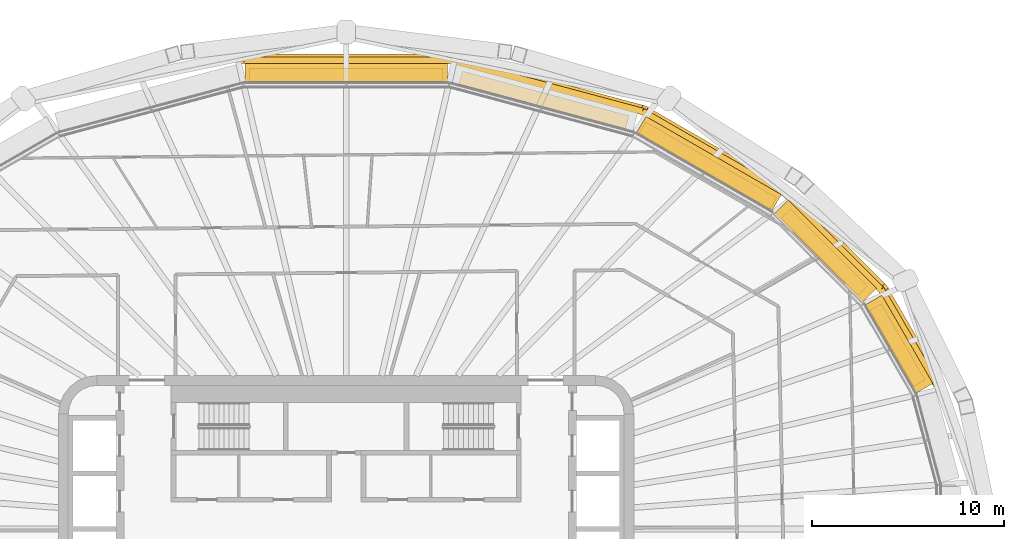
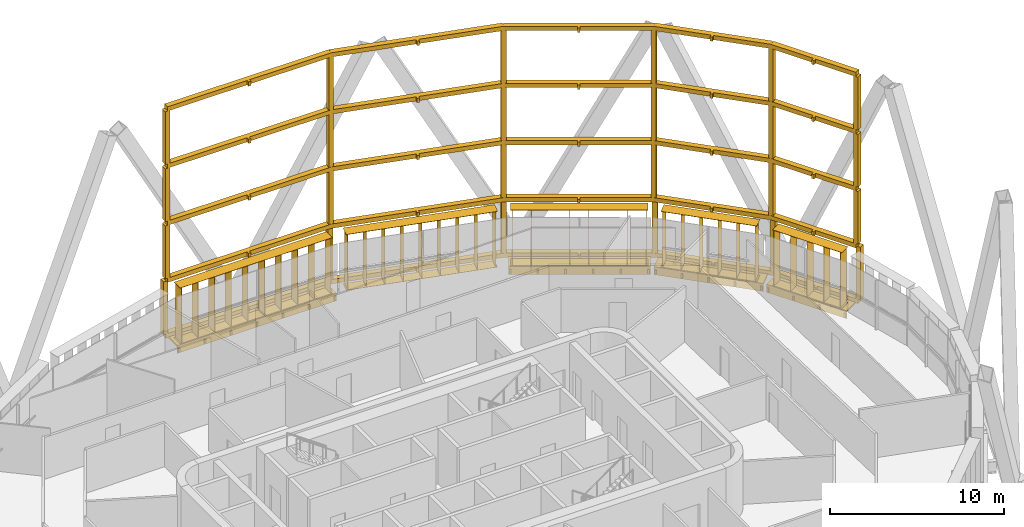
# One storey, part 24 of 25: 10 shading devices.
"""IFC4 building model written with IfcOpenShell, lengths in metres."""

from ifc_helpers import new_model, si_unit, direction, frame, origin, origin_2d, place, context, subcontext, project, spatial, polyline, rectangle, outline, extrude, material, type_object, element, save


model = new_model("IFC4")

# Units and contexts
model_context = context("Model", 3, precision=1e-05, world=origin(), true_north=direction((0.0, 1.0)))
body_context = subcontext(model_context, "Body", "Model", "MODEL_VIEW")
ifc_project = project(units=[si_unit("LENGTHUNIT", "METRE"), si_unit("AREAUNIT", "SQUARE_METRE"), si_unit("VOLUMEUNIT", "CUBIC_METRE"), si_unit("PLANEANGLEUNIT", "RADIAN"), si_unit("MASSUNIT", "GRAM", prefix="KILO")], contexts=[model_context])

# Site, building, storey
site_placement = place(None, origin())
site = spatial("IfcSite", under=ifc_project, at=site_placement, CompositionType="ELEMENT")
building_placement = place(site_placement, origin())
building = spatial("IfcBuilding", under=site, at=building_placement, Name="Sahrelin Media Tower", CompositionType="ELEMENT")
storey_placement = place(building_placement, frame((0.0, 0.0, 181.60009765625)))
storey = spatial("IfcBuildingStorey", under=building, at=storey_placement, Name="L38", CompositionType="ELEMENT", Elevation=181.60009765625)

# Shading devices
ifc_material_1 = material(Name="Dark bronze anodised aluminium 6063-T6", Category="aluminium")
shading_device_type_1 = type_object("IfcShadingDeviceType", Name="Deep frame", PredefinedType="USERDEFINED", material=ifc_material_1)
shading_device_1_placement = place(storey_placement, frame((29.761474609375, 6.9970703125, 0.0), z_axis=(0.0, 0.0, 1.0), x_axis=(0.500011000363, -0.866019052629, 0.0)))
element("IfcShadingDevice", 1, at=shading_device_1_placement, inside=storey, type_object=shading_device_type_1, Name="L38:FRAME:F3-6", ObjectType="FRAME", PredefinedType="USERDEFINED", context=body_context, shape_type="SweptSolid", body=[
    extrude(rectangle(XDim=0.300048828125, YDim=0.35009765625, at=origin_2d()), frame((0.0, 1.324951171875, 0.14990234375), z_axis=(0.0, 0.0, 1.0), x_axis=(-1.0, 0.0, 0.0)), (0.0, 0.0, 1.0), 3.7001953125),
    extrude(rectangle(XDim=0.300048828125, YDim=0.35009765625, at=origin_2d()), frame((-5.686767578125, 1.313720703125, 0.14990234375), z_axis=(0.0, 0.0, 1.0), x_axis=(-0.991434606813, -0.130604059715, 0.0)), (0.0, 0.0, 1.0), 3.7001953125),
    extrude(rectangle(XDim=0.300048828125, YDim=0.35009765625, at=origin_2d()), frame((-12.49169921875, -0.509765625, 0.14990234375), z_axis=(0.0, 0.0, 1.0), x_axis=(-0.923876860854, -0.382689882252, 0.0)), (0.0, 0.0, 1.0), 3.7001953125),
    extrude(rectangle(XDim=0.300048828125, YDim=0.35009765625, at=origin_2d()), frame((-20.022216796875, -4.857421875, 0.14990234375), z_axis=(0.0, 0.0, 1.0), x_axis=(-0.793400087474, -0.608700502051, 0.0)), (0.0, 0.0, 1.0), 3.7001953125),
    extrude(rectangle(XDim=0.300048828125, YDim=0.35009765625, at=origin_2d()), frame((-27.34228515625, -12.177490234375, 0.14990234375), z_axis=(0.0, 0.0, 1.0), x_axis=(-0.608762813671, -0.793352277801, 0.0)), (0.0, 0.0, 1.0), 3.7001953125),
    extrude(rectangle(XDim=0.300048828125, YDim=0.35009765625, at=origin_2d()), frame((-32.809814453125, -21.625, 0.14990234375), z_axis=(0.0, 0.0, 1.0), x_axis=(-0.500010580459, -0.866019295067, 0.0)), (0.0, 0.0, 1.0), 3.7001953125),
    extrude(outline(polyline([(-2.831787109375, 0.969970703125), (-2.681884765625, 0.969970703125), (-2.681884765625, 1.144775390625), (0.000244140625, 1.14990234375), (-0.000244140625, 1.5), (-5.68701171875, 1.48876953125), (-5.686767578125, 1.313720703125), (-5.73193359375, 1.482666015625), (-12.537109375, -0.3408203125), (-12.49169921875, -0.509765625), (-12.5791015625, -0.358154296875), (-20.10986328125, -4.705810546875), (-20.022216796875, -4.857421875), (-20.14599609375, -4.733642578125), (-27.466064453125, -12.0537109375), (-27.34228515625, -12.177490234375), (-27.49365234375, -12.08984375), (-32.96142578125, -21.537353515625), (-32.658447265625, -21.712646484375), (-30.00537109375, -17.12841796875), (-29.854248046875, -17.2158203125), (-29.779296875, -17.0859375), (-29.930419921875, -16.998779296875), (-27.202392578125, -12.284912109375), (-23.611572265625, -8.694091796875), (-23.4921875, -8.8134765625), (-23.38623046875, -8.70751953125), (-23.505615234375, -8.588134765625), (-19.914794921875, -4.99755859375), (-16.234619140625, -2.87255859375), (-16.150146484375, -3.018798828125), (-16.020263671875, -2.943603515625), (-16.1044921875, -2.797607421875), (-12.42431640625, -0.6728515625), (-9.116455078125, 0.21337890625), (-9.07275390625, 0.050537109375), (-8.927734375, 0.08935546875), (-8.971435546875, 0.252197265625), (-5.66357421875, 1.138671875), (-2.831787109375, 1.144287109375), (-2.831787109375, 0.969970703125)])), frame((0.0, 0.0, -0.14990234375)), (0.0, 0.0, 1.0), 0.2998046875),
    extrude(rectangle(XDim=0.300048828125, YDim=0.35009765625, at=origin_2d()), frame((-0.051513671875, 1.146484375, 4.14990234375), z_axis=(0.0, 0.0, 1.0), x_axis=(-1.0, 0.0, 0.0)), (0.0, 0.0, 1.0), 3.7001953125),
    extrude(rectangle(XDim=0.300048828125, YDim=0.35009765625, at=origin_2d()), frame((-5.70361328125, 1.13525390625, 4.14990234375), z_axis=(0.0, 0.0, 1.0), x_axis=(-0.991449189241, -0.130493314592, 0.0)), (0.0, 0.0, 1.0), 3.7001953125),
    extrude(rectangle(XDim=0.300048828125, YDim=0.35009765625, at=origin_2d()), frame((-12.46826171875, -0.677490234375, 4.14990234375), z_axis=(0.0, 0.0, 1.0), x_axis=(-0.923876860854, -0.382689882252, 0.0)), (0.0, 0.0, 1.0), 3.7001953125),
    extrude(rectangle(XDim=0.300048828125, YDim=0.35009765625, at=origin_2d()), frame((-19.955078125, -4.999755859375, 4.14990234375), z_axis=(0.0, 0.0, 1.0), x_axis=(-0.793315089117, -0.608811275668, 0.0)), (0.0, 0.0, 1.0), 3.7001953125),
    extrude(rectangle(XDim=0.300048828125, YDim=0.35009765625, at=origin_2d()), frame((-27.232666015625, -12.27734375, 4.14990234375), z_axis=(0.0, 0.0, 1.0), x_axis=(-0.608762813671, -0.793352277801, 0.0)), (0.0, 0.0, 1.0), 3.7001953125),
    extrude(rectangle(XDim=0.300048828125, YDim=0.35009765625, at=origin_2d()), frame((-32.66845703125, -21.669921875, 4.14990234375), z_axis=(0.0, 0.0, 1.0), x_axis=(-0.500010580459, -0.866019295067, 0.0)), (0.0, 0.0, 1.0), 3.7001953125),
    extrude(outline(polyline([(-2.865966796875, 0.79150390625), (-2.716064453125, 0.79150390625), (-2.716064453125, 0.96630859375), (-0.05126953125, 0.9716796875), (-0.052001953125, 1.321533203125), (-5.703857421875, 1.310302734375), (-5.70361328125, 1.13525390625), (-5.748779296875, 1.30419921875), (-12.513671875, -0.50830078125), (-12.46826171875, -0.677490234375), (-12.555908203125, -0.52587890625), (-20.04248046875, -4.84814453125), (-19.955078125, -4.999755859375), (-20.07861328125, -4.876220703125), (-27.3564453125, -12.15380859375), (-27.232666015625, -12.27734375), (-27.384033203125, -12.189697265625), (-32.820068359375, -21.582275390625), (-32.51708984375, -21.757568359375), (-29.8798828125, -17.200927734375), (-29.728759765625, -17.2880859375), (-29.65380859375, -17.158203125), (-29.8046875, -17.071044921875), (-27.0927734375, -12.385009765625), (-23.523193359375, -8.8154296875), (-23.40380859375, -8.9345703125), (-23.2978515625, -8.82861328125), (-23.4169921875, -8.709228515625), (-19.847412109375, -5.139892578125), (-16.189208984375, -3.027587890625), (-16.104736328125, -3.173583984375), (-15.974853515625, -3.0986328125), (-16.05908203125, -2.95263671875), (-12.40087890625, -0.840576171875), (-9.113037109375, 0.04052734375), (-9.0693359375, -0.122314453125), (-8.924560546875, -0.08349609375), (-8.96826171875, 0.079345703125), (-5.680419921875, 0.960205078125), (-2.865966796875, 0.9658203125), (-2.865966796875, 0.79150390625)])), frame((0.0, 0.0, 3.85009765625)), (0.0, 0.0, 1.0), 0.2998046875),
    extrude(rectangle(XDim=0.300048828125, YDim=0.35009765625, at=origin_2d()), frame((-0.051513671875, 1.146484375, 8.14990234375), z_axis=(0.0, 0.0, 1.0), x_axis=(-1.0, 0.0, 0.0)), (0.0, 0.0, 1.0), 3.7001953125),
    extrude(rectangle(XDim=0.300048828125, YDim=0.35009765625, at=origin_2d()), frame((-5.70361328125, 1.13525390625, 8.14990234375), z_axis=(0.0, 0.0, 1.0), x_axis=(-0.991449189241, -0.130493314592, 0.0)), (0.0, 0.0, 1.0), 3.7001953125),
    extrude(rectangle(XDim=0.300048828125, YDim=0.35009765625, at=origin_2d()), frame((-12.46826171875, -0.677490234375, 8.14990234375), z_axis=(0.0, 0.0, 1.0), x_axis=(-0.923876860854, -0.382689882252, 0.0)), (0.0, 0.0, 1.0), 3.7001953125),
    extrude(rectangle(XDim=0.300048828125, YDim=0.35009765625, at=origin_2d()), frame((-19.955078125, -4.999755859375, 8.14990234375), z_axis=(0.0, 0.0, 1.0), x_axis=(-0.793315089117, -0.608811275668, 0.0)), (0.0, 0.0, 1.0), 3.7001953125),
    extrude(rectangle(XDim=0.300048828125, YDim=0.35009765625, at=origin_2d()), frame((-27.232666015625, -12.27734375, 8.14990234375), z_axis=(0.0, 0.0, 1.0), x_axis=(-0.608762813671, -0.793352277801, 0.0)), (0.0, 0.0, 1.0), 3.7001953125),
    extrude(rectangle(XDim=0.300048828125, YDim=0.35009765625, at=origin_2d()), frame((-32.66845703125, -21.669921875, 8.14990234375), z_axis=(0.0, 0.0, 1.0), x_axis=(-0.500010580459, -0.866019295067, 0.0)), (0.0, 0.0, 1.0), 3.7001953125),
    extrude(outline(polyline([(-2.865966796875, 0.79150390625), (-2.716064453125, 0.79150390625), (-2.716064453125, 0.96630859375), (-0.05126953125, 0.9716796875), (-0.052001953125, 1.321533203125), (-5.703857421875, 1.310302734375), (-5.70361328125, 1.13525390625), (-5.748779296875, 1.30419921875), (-12.513671875, -0.50830078125), (-12.46826171875, -0.677490234375), (-12.555908203125, -0.52587890625), (-20.04248046875, -4.84814453125), (-19.955078125, -4.999755859375), (-20.07861328125, -4.876220703125), (-27.3564453125, -12.15380859375), (-27.232666015625, -12.27734375), (-27.384033203125, -12.189697265625), (-32.820068359375, -21.582275390625), (-32.51708984375, -21.757568359375), (-29.8798828125, -17.200927734375), (-29.728759765625, -17.2880859375), (-29.65380859375, -17.158203125), (-29.8046875, -17.071044921875), (-27.0927734375, -12.385009765625), (-23.523193359375, -8.8154296875), (-23.40380859375, -8.9345703125), (-23.2978515625, -8.82861328125), (-23.4169921875, -8.709228515625), (-19.847412109375, -5.139892578125), (-16.189208984375, -3.027587890625), (-16.104736328125, -3.173583984375), (-15.974853515625, -3.0986328125), (-16.05908203125, -2.95263671875), (-12.40087890625, -0.840576171875), (-9.113037109375, 0.04052734375), (-9.0693359375, -0.122314453125), (-8.924560546875, -0.08349609375), (-8.96826171875, 0.079345703125), (-5.680419921875, 0.960205078125), (-2.865966796875, 0.9658203125), (-2.865966796875, 0.79150390625)])), frame((0.0, 0.0, 7.85009765625)), (0.0, 0.0, 1.0), 0.2998046875),
    extrude(rectangle(XDim=0.300048828125, YDim=0.35009765625, at=origin_2d()), frame((-0.051513671875, 1.146484375, 12.14990234375), z_axis=(0.0, 0.0, 1.0), x_axis=(-1.0, 0.0, 0.0)), (0.0, 0.0, 1.0), 3.7001953125),
    extrude(rectangle(XDim=0.300048828125, YDim=0.35009765625, at=origin_2d()), frame((-5.70361328125, 1.13525390625, 12.14990234375), z_axis=(0.0, 0.0, 1.0), x_axis=(-0.991449189241, -0.130493314592, 0.0)), (0.0, 0.0, 1.0), 3.7001953125),
    extrude(rectangle(XDim=0.300048828125, YDim=0.35009765625, at=origin_2d()), frame((-12.46826171875, -0.677490234375, 12.14990234375), z_axis=(0.0, 0.0, 1.0), x_axis=(-0.923876860854, -0.382689882252, 0.0)), (0.0, 0.0, 1.0), 3.7001953125),
    extrude(rectangle(XDim=0.300048828125, YDim=0.35009765625, at=origin_2d()), frame((-19.955078125, -4.999755859375, 12.14990234375), z_axis=(0.0, 0.0, 1.0), x_axis=(-0.793315089117, -0.608811275668, 0.0)), (0.0, 0.0, 1.0), 3.7001953125),
    extrude(rectangle(XDim=0.300048828125, YDim=0.35009765625, at=origin_2d()), frame((-27.232666015625, -12.27734375, 12.14990234375), z_axis=(0.0, 0.0, 1.0), x_axis=(-0.608762813671, -0.793352277801, 0.0)), (0.0, 0.0, 1.0), 3.7001953125),
    extrude(rectangle(XDim=0.300048828125, YDim=0.35009765625, at=origin_2d()), frame((-32.66845703125, -21.669921875, 12.14990234375), z_axis=(0.0, 0.0, 1.0), x_axis=(-0.500010580459, -0.866019295067, 0.0)), (0.0, 0.0, 1.0), 3.7001953125),
    extrude(outline(polyline([(-2.865966796875, 0.79150390625), (-2.716064453125, 0.79150390625), (-2.716064453125, 0.96630859375), (-0.05126953125, 0.9716796875), (-0.052001953125, 1.321533203125), (-5.703857421875, 1.310302734375), (-5.70361328125, 1.13525390625), (-5.748779296875, 1.30419921875), (-12.513671875, -0.50830078125), (-12.46826171875, -0.677490234375), (-12.555908203125, -0.52587890625), (-20.04248046875, -4.84814453125), (-19.955078125, -4.999755859375), (-20.07861328125, -4.876220703125), (-27.3564453125, -12.15380859375), (-27.232666015625, -12.27734375), (-27.384033203125, -12.189697265625), (-32.820068359375, -21.582275390625), (-32.51708984375, -21.757568359375), (-29.8798828125, -17.200927734375), (-29.728759765625, -17.2880859375), (-29.65380859375, -17.158203125), (-29.8046875, -17.071044921875), (-27.0927734375, -12.385009765625), (-23.523193359375, -8.8154296875), (-23.40380859375, -8.9345703125), (-23.2978515625, -8.82861328125), (-23.4169921875, -8.709228515625), (-19.847412109375, -5.139892578125), (-16.189208984375, -3.027587890625), (-16.104736328125, -3.173583984375), (-15.974853515625, -3.0986328125), (-16.05908203125, -2.95263671875), (-12.40087890625, -0.840576171875), (-9.113037109375, 0.04052734375), (-9.0693359375, -0.122314453125), (-8.924560546875, -0.08349609375), (-8.96826171875, 0.079345703125), (-5.680419921875, 0.960205078125), (-2.865966796875, 0.9658203125), (-2.865966796875, 0.79150390625)])), frame((0.0, 0.0, 11.85009765625)), (0.0, 0.0, 1.0), 0.2998046875),
    extrude(outline(polyline([(-2.865966796875, 0.79150390625), (-2.716064453125, 0.79150390625), (-2.716064453125, 0.96630859375), (-0.05126953125, 0.9716796875), (-0.052001953125, 1.321533203125), (-5.703857421875, 1.310302734375), (-5.70361328125, 1.13525390625), (-5.748779296875, 1.30419921875), (-12.513671875, -0.50830078125), (-12.46826171875, -0.677490234375), (-12.555908203125, -0.52587890625), (-20.04248046875, -4.84814453125), (-19.955078125, -4.999755859375), (-20.07861328125, -4.876220703125), (-27.3564453125, -12.15380859375), (-27.232666015625, -12.27734375), (-27.384033203125, -12.189697265625), (-32.820068359375, -21.582275390625), (-32.51708984375, -21.757568359375), (-29.8798828125, -17.200927734375), (-29.728759765625, -17.2880859375), (-29.65380859375, -17.158203125), (-29.8046875, -17.071044921875), (-27.0927734375, -12.385009765625), (-23.523193359375, -8.8154296875), (-23.40380859375, -8.9345703125), (-23.2978515625, -8.82861328125), (-23.4169921875, -8.709228515625), (-19.847412109375, -5.139892578125), (-16.189208984375, -3.027587890625), (-16.104736328125, -3.173583984375), (-15.974853515625, -3.0986328125), (-16.05908203125, -2.95263671875), (-12.40087890625, -0.840576171875), (-9.113037109375, 0.04052734375), (-9.0693359375, -0.122314453125), (-8.924560546875, -0.08349609375), (-8.96826171875, 0.079345703125), (-5.680419921875, 0.960205078125), (-2.865966796875, 0.9658203125), (-2.865966796875, 0.79150390625)])), frame((0.0, 0.0, 15.85009765625)), (0.0, 0.0, 1.0), 0.2998046875),
])
ifc_material_2 = material(Name="Champagne anodised aluminium 6063-T6", Category="aluminium")
shading_device_type_2 = type_object("IfcShadingDeviceType", Name="Fin cassette", PredefinedType="USERDEFINED", material=ifc_material_2)
placement_1 = place(storey_placement, frame((28.383056640625, 9.384765625, 0.0), z_axis=(0.0, 0.0, 1.0), x_axis=(0.500011000363, -0.866019052629, 0.0)))
element("IfcShadingDevice", 2, at=placement_1, inside=storey, type_object=shading_device_type_2, Name="L38:FIN:L38-02", ObjectType="FIN", PredefinedType="USERDEFINED", context=body_context, shape_type="SweptSolid", body=[
    extrude(rectangle(XDim=4.60009765625, YDim=0.699951171875, at=origin_2d()), frame((0.0, 0.419921875, 0.0)), (0.0, 0.0, 1.0), 0.02001953125),
    extrude(rectangle(XDim=4.60009765625, YDim=0.699951171875, at=origin_2d()), frame((0.0, 0.419921875, 3.89990234375)), (0.0, 0.0, 1.0), 0.02001953125),
    extrude(rectangle(XDim=0.02001953125, YDim=0.699951171875, at=origin_2d()), frame((-2.199951171875, 0.419921875, 0.010009765625), z_axis=(0.0, 0.0, 1.0), x_axis=(1.0, 0.0, 0.0)), (0.0, 0.0, 1.0), 3.89990234375),
    extrude(rectangle(XDim=0.02001953125, YDim=0.699951171875, at=origin_2d()), frame((-1.10009765625, 0.419921875, 0.010009765625), z_axis=(0.0, 0.0, 1.0), x_axis=(1.0, 0.0, 0.0)), (0.0, 0.0, 1.0), 3.89990234375),
    extrude(rectangle(XDim=0.02001953125, YDim=0.699951171875, at=origin_2d()), frame((0.0, 0.419921875, 0.010009765625), z_axis=(0.0, 0.0, 1.0), x_axis=(1.0, 0.0, 0.0)), (0.0, 0.0, 1.0), 3.89990234375),
    extrude(rectangle(XDim=0.02001953125, YDim=0.699951171875, at=origin_2d()), frame((1.10009765625, 0.419921875, 0.010009765625), z_axis=(0.0, 0.0, 1.0), x_axis=(1.0, 0.0, 0.0)), (0.0, 0.0, 1.0), 3.89990234375),
    extrude(rectangle(XDim=0.02001953125, YDim=0.699951171875, at=origin_2d()), frame((2.199951171875, 0.419921875, 0.010009765625), z_axis=(0.0, 0.0, 1.0), x_axis=(1.0, 0.0, 0.0)), (0.0, 0.0, 1.0), 3.89990234375),
])
placement_2 = place(storey_placement, frame((24.635986328125, 14.140625, 0.0), z_axis=(0.0, 0.0, 1.0), x_axis=(0.707106781187, -0.707106781187, 0.0)))
element("IfcShadingDevice", 3, at=placement_2, inside=storey, type_object=shading_device_type_2, Name="L38:FIN:L38-03", ObjectType="FIN", PredefinedType="USERDEFINED", context=body_context, shape_type="SweptSolid", body=[
    extrude(rectangle(XDim=5.699951171875, YDim=0.699951171875, at=origin_2d()), frame((0.0, 0.419921875, 0.0)), (0.0, 0.0, 1.0), 0.02001953125),
    extrude(rectangle(XDim=5.699951171875, YDim=0.699951171875, at=origin_2d()), frame((0.0, 0.419921875, 3.89990234375)), (0.0, 0.0, 1.0), 0.02001953125),
    extrude(rectangle(XDim=0.02001953125, YDim=0.699951171875, at=origin_2d()), frame((-2.75, 0.419921875, 0.010009765625), z_axis=(0.0, 0.0, 1.0), x_axis=(1.0, 0.0, 0.0)), (0.0, 0.0, 1.0), 3.89990234375),
    extrude(rectangle(XDim=0.02001953125, YDim=0.699951171875, at=origin_2d()), frame((-1.64990234375, 0.419921875, 0.010009765625), z_axis=(0.0, 0.0, 1.0), x_axis=(1.0, 0.0, 0.0)), (0.0, 0.0, 1.0), 3.89990234375),
    extrude(rectangle(XDim=0.02001953125, YDim=0.699951171875, at=origin_2d()), frame((-0.550048828125, 0.419921875, 0.010009765625), z_axis=(0.0, 0.0, 1.0), x_axis=(1.0, 0.0, 0.0)), (0.0, 0.0, 1.0), 3.89990234375),
    extrude(rectangle(XDim=0.02001953125, YDim=0.699951171875, at=origin_2d()), frame((0.550048828125, 0.419921875, 0.010009765625), z_axis=(0.0, 0.0, 1.0), x_axis=(1.0, 0.0, 0.0)), (0.0, 0.0, 1.0), 3.89990234375),
    extrude(rectangle(XDim=0.02001953125, YDim=0.699951171875, at=origin_2d()), frame((1.64990234375, 0.419921875, 0.010009765625), z_axis=(0.0, 0.0, 1.0), x_axis=(1.0, 0.0, 0.0)), (0.0, 0.0, 1.0), 3.89990234375),
    extrude(rectangle(XDim=0.02001953125, YDim=0.699951171875, at=origin_2d()), frame((2.75, 0.419921875, 0.010009765625), z_axis=(0.0, 0.0, 1.0), x_axis=(1.0, 0.0, 0.0)), (0.0, 0.0, 1.0), 3.89990234375),
])
placement_3 = place(storey_placement, frame((18.652099609375, 18.5966796875, 0.0), z_axis=(0.0, 0.0, 1.0), x_axis=(0.866019052629, -0.500011000363, 0.0)))
element("IfcShadingDevice", 4, at=placement_3, inside=storey, type_object=shading_device_type_2, Name="L38:FIN:L38-04", ObjectType="FIN", PredefinedType="USERDEFINED", context=body_context, shape_type="SweptSolid", body=[
    extrude(rectangle(XDim=7.89990234375, YDim=0.699951171875, at=origin_2d()), frame((0.0, 0.419921875, 0.0)), (0.0, 0.0, 1.0), 0.02001953125),
    extrude(rectangle(XDim=7.89990234375, YDim=0.699951171875, at=origin_2d()), frame((0.0, 0.419921875, 3.89990234375)), (0.0, 0.0, 1.0), 0.02001953125),
    extrude(rectangle(XDim=0.02001953125, YDim=0.699951171875, at=origin_2d()), frame((-3.85009765625, 0.419921875, 0.010009765625), z_axis=(0.0, 0.0, 1.0), x_axis=(1.0, 0.0, 0.0)), (0.0, 0.0, 1.0), 3.89990234375),
    extrude(rectangle(XDim=0.02001953125, YDim=0.699951171875, at=origin_2d()), frame((-2.75, 0.419921875, 0.010009765625), z_axis=(0.0, 0.0, 1.0), x_axis=(1.0, 0.0, 0.0)), (0.0, 0.0, 1.0), 3.89990234375),
    extrude(rectangle(XDim=0.02001953125, YDim=0.699951171875, at=origin_2d()), frame((-1.64990234375, 0.419921875, 0.010009765625), z_axis=(0.0, 0.0, 1.0), x_axis=(1.0, 0.0, 0.0)), (0.0, 0.0, 1.0), 3.89990234375),
    extrude(rectangle(XDim=0.02001953125, YDim=0.699951171875, at=origin_2d()), frame((-0.550048828125, 0.419921875, 0.010009765625), z_axis=(0.0, 0.0, 1.0), x_axis=(1.0, 0.0, 0.0)), (0.0, 0.0, 1.0), 3.89990234375),
    extrude(rectangle(XDim=0.02001953125, YDim=0.699951171875, at=origin_2d()), frame((0.550048828125, 0.419921875, 0.010009765625), z_axis=(0.0, 0.0, 1.0), x_axis=(1.0, 0.0, 0.0)), (0.0, 0.0, 1.0), 3.89990234375),
    extrude(rectangle(XDim=0.02001953125, YDim=0.699951171875, at=origin_2d()), frame((1.64990234375, 0.419921875, 0.010009765625), z_axis=(0.0, 0.0, 1.0), x_axis=(1.0, 0.0, 0.0)), (0.0, 0.0, 1.0), 3.89990234375),
    extrude(rectangle(XDim=0.02001953125, YDim=0.699951171875, at=origin_2d()), frame((2.75, 0.419921875, 0.010009765625), z_axis=(0.0, 0.0, 1.0), x_axis=(1.0, 0.0, 0.0)), (0.0, 0.0, 1.0), 3.89990234375),
    extrude(rectangle(XDim=0.02001953125, YDim=0.699951171875, at=origin_2d()), frame((3.85009765625, 0.419921875, 0.010009765625), z_axis=(0.0, 0.0, 1.0), x_axis=(1.0, 0.0, 0.0)), (0.0, 0.0, 1.0), 3.89990234375),
])
shading_device_5_placement = place(storey_placement, frame((10.203857421875, 21.97900390625, 0.0), z_axis=(0.0, 0.0, 1.0), x_axis=(0.965928857556, -0.258807731996, 0.0)))
element("IfcShadingDevice", 5, at=shading_device_5_placement, inside=storey, type_object=shading_device_type_2, Name="L38:FIN:L38-05", ObjectType="FIN", PredefinedType="USERDEFINED", context=body_context, shape_type="SweptSolid", body=[
    extrude(rectangle(XDim=9.0, YDim=0.699951171875, at=origin_2d()), frame((0.0, 0.419921875, 0.0)), (0.0, 0.0, 1.0), 0.02001953125),
    extrude(rectangle(XDim=9.0, YDim=0.699951171875, at=origin_2d()), frame((0.0, 0.419921875, 3.89990234375)), (0.0, 0.0, 1.0), 0.02001953125),
    extrude(rectangle(XDim=0.02001953125, YDim=0.699951171875, at=origin_2d()), frame((-4.39990234375, 0.419921875, 0.010009765625), z_axis=(0.0, 0.0, 1.0), x_axis=(1.0, 0.0, 0.0)), (0.0, 0.0, 1.0), 3.89990234375),
    extrude(rectangle(XDim=0.02001953125, YDim=0.699951171875, at=origin_2d()), frame((-3.300048828125, 0.419921875, 0.010009765625), z_axis=(0.0, 0.0, 1.0), x_axis=(1.0, 0.0, 0.0)), (0.0, 0.0, 1.0), 3.89990234375),
    extrude(rectangle(XDim=0.02001953125, YDim=0.699951171875, at=origin_2d()), frame((-2.199951171875, 0.419921875, 0.010009765625), z_axis=(0.0, 0.0, 1.0), x_axis=(1.0, 0.0, 0.0)), (0.0, 0.0, 1.0), 3.89990234375),
    extrude(rectangle(XDim=0.02001953125, YDim=0.699951171875, at=origin_2d()), frame((-1.10009765625, 0.419921875, 0.010009765625), z_axis=(0.0, 0.0, 1.0), x_axis=(1.0, 0.0, 0.0)), (0.0, 0.0, 1.0), 3.89990234375),
    extrude(rectangle(XDim=0.02001953125, YDim=0.699951171875, at=origin_2d()), frame((0.0, 0.419921875, 0.010009765625), z_axis=(0.0, 0.0, 1.0), x_axis=(1.0, 0.0, 0.0)), (0.0, 0.0, 1.0), 3.89990234375),
    extrude(rectangle(XDim=0.02001953125, YDim=0.699951171875, at=origin_2d()), frame((1.10009765625, 0.419921875, 0.010009765625), z_axis=(0.0, 0.0, 1.0), x_axis=(1.0, 0.0, 0.0)), (0.0, 0.0, 1.0), 3.89990234375),
    extrude(rectangle(XDim=0.02001953125, YDim=0.699951171875, at=origin_2d()), frame((2.199951171875, 0.419921875, 0.010009765625), z_axis=(0.0, 0.0, 1.0), x_axis=(1.0, 0.0, 0.0)), (0.0, 0.0, 1.0), 3.89990234375),
    extrude(rectangle(XDim=0.02001953125, YDim=0.699951171875, at=origin_2d()), frame((3.300048828125, 0.419921875, 0.010009765625), z_axis=(0.0, 0.0, 1.0), x_axis=(1.0, 0.0, 0.0)), (0.0, 0.0, 1.0), 3.89990234375),
    extrude(rectangle(XDim=0.02001953125, YDim=0.699951171875, at=origin_2d()), frame((4.39990234375, 0.419921875, 0.010009765625), z_axis=(0.0, 0.0, 1.0), x_axis=(1.0, 0.0, 0.0)), (0.0, 0.0, 1.0), 3.89990234375),
])
placement_4 = place(storey_placement, frame((0.0, 23.273681640625, 0.0), z_axis=(0.0, 0.0, 1.0), x_axis=(1.0, 0.0, 0.0)))
element("IfcShadingDevice", 6, at=placement_4, inside=storey, type_object=shading_device_type_2, Name="L38:FIN:L38-06", ObjectType="FIN", PredefinedType="USERDEFINED", context=body_context, shape_type="SweptSolid", body=[
    extrude(rectangle(XDim=10.10009765625, YDim=0.699951171875, at=origin_2d()), frame((0.0, 0.419921875, 0.0)), (0.0, 0.0, 1.0), 0.02001953125),
    extrude(rectangle(XDim=10.10009765625, YDim=0.699951171875, at=origin_2d()), frame((0.0, 0.419921875, 3.89990234375)), (0.0, 0.0, 1.0), 0.02001953125),
    extrude(rectangle(XDim=0.02001953125, YDim=0.699951171875, at=origin_2d()), frame((-4.949951171875, 0.419921875, 0.010009765625), z_axis=(0.0, 0.0, 1.0), x_axis=(1.0, 0.0, 0.0)), (0.0, 0.0, 1.0), 3.89990234375),
    extrude(rectangle(XDim=0.02001953125, YDim=0.699951171875, at=origin_2d()), frame((-3.85009765625, 0.419921875, 0.010009765625), z_axis=(0.0, 0.0, 1.0), x_axis=(1.0, 0.0, 0.0)), (0.0, 0.0, 1.0), 3.89990234375),
    extrude(rectangle(XDim=0.02001953125, YDim=0.699951171875, at=origin_2d()), frame((-2.75, 0.419921875, 0.010009765625), z_axis=(0.0, 0.0, 1.0), x_axis=(1.0, 0.0, 0.0)), (0.0, 0.0, 1.0), 3.89990234375),
    extrude(rectangle(XDim=0.02001953125, YDim=0.699951171875, at=origin_2d()), frame((-1.64990234375, 0.419921875, 0.010009765625), z_axis=(0.0, 0.0, 1.0), x_axis=(1.0, 0.0, 0.0)), (0.0, 0.0, 1.0), 3.89990234375),
    extrude(rectangle(XDim=0.02001953125, YDim=0.699951171875, at=origin_2d()), frame((-0.550048828125, 0.419921875, 0.010009765625), z_axis=(0.0, 0.0, 1.0), x_axis=(1.0, 0.0, 0.0)), (0.0, 0.0, 1.0), 3.89990234375),
    extrude(rectangle(XDim=0.02001953125, YDim=0.699951171875, at=origin_2d()), frame((0.550048828125, 0.419921875, 0.010009765625), z_axis=(0.0, 0.0, 1.0), x_axis=(1.0, 0.0, 0.0)), (0.0, 0.0, 1.0), 3.89990234375),
    extrude(rectangle(XDim=0.02001953125, YDim=0.699951171875, at=origin_2d()), frame((1.64990234375, 0.419921875, 0.010009765625), z_axis=(0.0, 0.0, 1.0), x_axis=(1.0, 0.0, 0.0)), (0.0, 0.0, 1.0), 3.89990234375),
    extrude(rectangle(XDim=0.02001953125, YDim=0.699951171875, at=origin_2d()), frame((2.75, 0.419921875, 0.010009765625), z_axis=(0.0, 0.0, 1.0), x_axis=(1.0, 0.0, 0.0)), (0.0, 0.0, 1.0), 3.89990234375),
    extrude(rectangle(XDim=0.02001953125, YDim=0.699951171875, at=origin_2d()), frame((3.85009765625, 0.419921875, 0.010009765625), z_axis=(0.0, 0.0, 1.0), x_axis=(1.0, 0.0, 0.0)), (0.0, 0.0, 1.0), 3.89990234375),
    extrude(rectangle(XDim=0.02001953125, YDim=0.699951171875, at=origin_2d()), frame((4.949951171875, 0.419921875, 0.010009765625), z_axis=(0.0, 0.0, 1.0), x_axis=(1.0, 0.0, 0.0)), (0.0, 0.0, 1.0), 3.89990234375),
])
shading_device_type_3 = type_object("IfcShadingDeviceType", Name="Sunshade band", PredefinedType="USERDEFINED", material=ifc_material_2)
element("IfcShadingDevice", 7, at=placement_1, inside=storey, type_object=shading_device_type_3, Name="L38:SUN:L38-02", ObjectType="SUNSHADE", PredefinedType="USERDEFINED", context=body_context, shape_type="SweptSolid", body=[
    extrude(rectangle(XDim=5.313720703125, YDim=0.050048828125, at=origin_2d()), frame((0.0, 0.044921875, -0.55126953125)), (0.0, 0.0, 1.0), 0.471435546875),
    extrude(rectangle(XDim=5.313720703125, YDim=1.0, at=origin_2d()), frame((0.0, 0.52001953125, -0.080078125)), (0.0, 0.0, 1.0), 0.080078125),
    extrude(rectangle(XDim=0.10009765625, YDim=0.074951171875, at=origin_2d()), frame((-2.556884765625, -0.017578125, -0.47021484375)), (0.0, 0.0, 1.0), 0.300048828125),
    extrude(rectangle(XDim=0.10009765625, YDim=0.074951171875, at=origin_2d()), frame((-0.852294921875, -0.017578125, -0.47021484375)), (0.0, 0.0, 1.0), 0.300048828125),
    extrude(rectangle(XDim=0.10009765625, YDim=0.074951171875, at=origin_2d()), frame((0.852294921875, -0.017578125, -0.47021484375)), (0.0, 0.0, 1.0), 0.300048828125),
    extrude(rectangle(XDim=0.10009765625, YDim=0.074951171875, at=origin_2d()), frame((2.556884765625, -0.017578125, -0.47021484375)), (0.0, 0.0, 1.0), 0.300048828125),
])
element("IfcShadingDevice", 8, at=placement_2, inside=storey, type_object=shading_device_type_3, Name="L38:SUN:L38-03", ObjectType="SUNSHADE", PredefinedType="USERDEFINED", context=body_context, shape_type="SweptSolid", body=[
    extrude(rectangle(XDim=6.4990234375, YDim=0.050048828125, at=origin_2d()), frame((0.0, 0.044921875, -0.55126953125)), (0.0, 0.0, 1.0), 0.471435546875),
    extrude(rectangle(XDim=6.4990234375, YDim=1.0, at=origin_2d()), frame((0.0, 0.52001953125, -0.080078125)), (0.0, 0.0, 1.0), 0.080078125),
    extrude(rectangle(XDim=0.10009765625, YDim=0.074951171875, at=origin_2d()), frame((-3.149658203125, -0.017578125, -0.47021484375)), (0.0, 0.0, 1.0), 0.300048828125),
    extrude(rectangle(XDim=0.10009765625, YDim=0.074951171875, at=origin_2d()), frame((-1.57470703125, -0.017578125, -0.47021484375)), (0.0, 0.0, 1.0), 0.300048828125),
    extrude(rectangle(XDim=0.10009765625, YDim=0.074951171875, at=origin_2d()), frame((0.0, -0.017578125, -0.47021484375)), (0.0, 0.0, 1.0), 0.300048828125),
    extrude(rectangle(XDim=0.10009765625, YDim=0.074951171875, at=origin_2d()), frame((1.57470703125, -0.017578125, -0.47021484375)), (0.0, 0.0, 1.0), 0.300048828125),
    extrude(rectangle(XDim=0.10009765625, YDim=0.074951171875, at=origin_2d()), frame((3.149658203125, -0.017578125, -0.47021484375)), (0.0, 0.0, 1.0), 0.300048828125),
])
element("IfcShadingDevice", 9, at=placement_3, inside=storey, type_object=shading_device_type_3, Name="L38:SUN:L38-04", ObjectType="SUNSHADE", PredefinedType="USERDEFINED", context=body_context, shape_type="SweptSolid", body=[
    extrude(rectangle(XDim=8.149658203125, YDim=0.050048828125, at=origin_2d()), frame((0.0, 0.044921875, -0.55126953125)), (0.0, 0.0, 1.0), 0.471435546875),
    extrude(rectangle(XDim=8.149658203125, YDim=1.0, at=origin_2d()), frame((0.0, 0.52001953125, -0.080078125)), (0.0, 0.0, 1.0), 0.080078125),
    extrude(rectangle(XDim=0.10009765625, YDim=0.074951171875, at=origin_2d()), frame((-3.974853515625, -0.017578125, -0.47021484375)), (0.0, 0.0, 1.0), 0.300048828125),
    extrude(rectangle(XDim=0.10009765625, YDim=0.074951171875, at=origin_2d()), frame((-2.385009765625, -0.017578125, -0.47021484375)), (0.0, 0.0, 1.0), 0.300048828125),
    extrude(rectangle(XDim=0.10009765625, YDim=0.074951171875, at=origin_2d()), frame((-0.794921875, -0.017578125, -0.47021484375)), (0.0, 0.0, 1.0), 0.300048828125),
    extrude(rectangle(XDim=0.10009765625, YDim=0.074951171875, at=origin_2d()), frame((0.794921875, -0.017578125, -0.47021484375)), (0.0, 0.0, 1.0), 0.300048828125),
    extrude(rectangle(XDim=0.10009765625, YDim=0.074951171875, at=origin_2d()), frame((2.385009765625, -0.017578125, -0.47021484375)), (0.0, 0.0, 1.0), 0.300048828125),
    extrude(rectangle(XDim=0.10009765625, YDim=0.074951171875, at=origin_2d()), frame((3.974853515625, -0.017578125, -0.47021484375)), (0.0, 0.0, 1.0), 0.300048828125),
])
element("IfcShadingDevice", 10, at=placement_4, inside=storey, type_object=shading_device_type_3, Name="L38:SUN:L38-06", ObjectType="SUNSHADE", PredefinedType="USERDEFINED", context=body_context, shape_type="SweptSolid", body=[
    extrude(rectangle(XDim=10.542724609375, YDim=0.050048828125, at=origin_2d()), frame((0.0, 0.044921875, -0.55126953125)), (0.0, 0.0, 1.0), 0.471435546875),
    extrude(rectangle(XDim=10.542724609375, YDim=1.0, at=origin_2d()), frame((0.0, 0.52001953125, -0.080078125)), (0.0, 0.0, 1.0), 0.080078125),
    extrude(rectangle(XDim=0.10009765625, YDim=0.074951171875, at=origin_2d()), frame((-5.17138671875, -0.017578125, -0.47021484375)), (0.0, 0.0, 1.0), 0.300048828125),
    extrude(rectangle(XDim=0.10009765625, YDim=0.074951171875, at=origin_2d()), frame((-3.447509765625, -0.017578125, -0.47021484375)), (0.0, 0.0, 1.0), 0.300048828125),
    extrude(rectangle(XDim=0.10009765625, YDim=0.074951171875, at=origin_2d()), frame((-1.723876953125, -0.017578125, -0.47021484375)), (0.0, 0.0, 1.0), 0.300048828125),
    extrude(rectangle(XDim=0.10009765625, YDim=0.074951171875, at=origin_2d()), frame((0.0, -0.017578125, -0.47021484375)), (0.0, 0.0, 1.0), 0.300048828125),
    extrude(rectangle(XDim=0.10009765625, YDim=0.074951171875, at=origin_2d()), frame((1.723876953125, -0.017578125, -0.47021484375)), (0.0, 0.0, 1.0), 0.300048828125),
    extrude(rectangle(XDim=0.10009765625, YDim=0.074951171875, at=origin_2d()), frame((3.447509765625, -0.017578125, -0.47021484375)), (0.0, 0.0, 1.0), 0.300048828125),
    extrude(rectangle(XDim=0.10009765625, YDim=0.074951171875, at=origin_2d()), frame((5.17138671875, -0.017578125, -0.47021484375)), (0.0, 0.0, 1.0), 0.300048828125),
])

save(model, "model.ifc")
